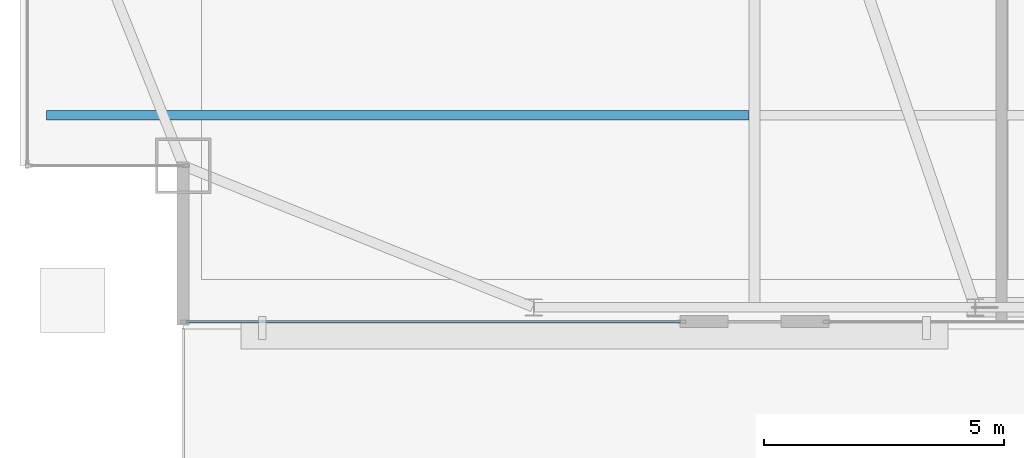
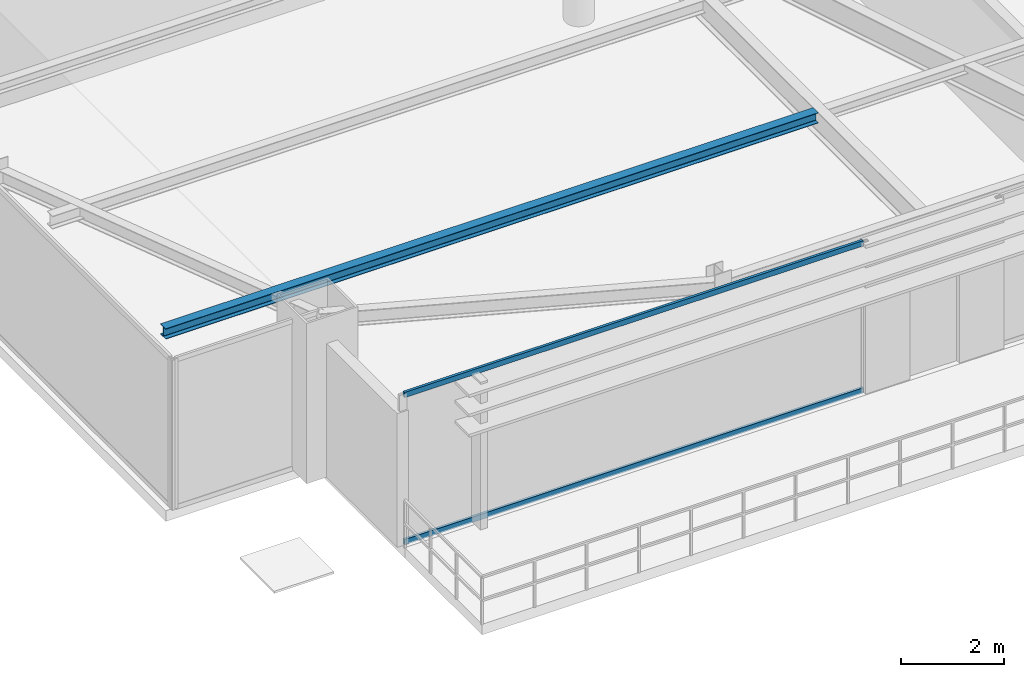
# One storey, part 5 of 33: 2 members, 1 beam, 1 element without a shape of its own.
"""IFC4 building model written with IfcOpenShell, lengths in metres."""

import ifcopenshell
import ifcopenshell.guid

model = None  # the IFC model being written
_history = None  # IfcOwnerHistory: only IFC2X3 demands one
_inside = {}  # id of a spatial element -> (the spatial element, [elements in it])
_under = {}  # id of a project, library or spatial element -> (it, [spatial elements below it])
_declared = {}  # id of a project -> (the project, [libraries it declares])
_typed = {}  # id of a type object -> (the type object, [elements of that type])
_made_of = {}  # id of a material, layer set ... -> (it, [elements and type objects made of it])


def new_model(schema):
    """Start an empty IFC model of exactly this schema.

    Asked for "IFC4X3", IfcOpenShell would pick the latest addendum, in which some entities
    have other attributes; the version numbers below select the first issue.
    IFC2X3 requires an IfcOwnerHistory on every rooted entity: one is made here for all.
    """
    global model, _history
    if schema == "IFC4X3":
        model = ifcopenshell.file(schema_version=(4, 3, 0, 0))
    else:
        model = ifcopenshell.file(schema=schema)
    _inside.clear()
    _under.clear()
    _declared.clear()
    _typed.clear()
    _made_of.clear()
    _history = None
    if model.schema == "IFC2X3":
        org = make("IfcOrganization", Name="unknown")
        user = make(
            "IfcPersonAndOrganization",
            ThePerson=make("IfcPerson", FamilyName="unknown"),
            TheOrganization=org,
        )
        app = make(
            "IfcApplication",
            ApplicationDeveloper=org,
            Version="unknown",
            ApplicationFullName="unknown",
            ApplicationIdentifier="unknown",
        )
        _history = make(
            "IfcOwnerHistory",
            OwningUser=user,
            OwningApplication=app,
            ChangeAction="ADDED",
            CreationDate=0,
        )
    return model


def make(cls, **values):
    """One entity of the class cls with the attributes given. An attribute that is None is left unset."""
    return model.create_entity(
        cls, **{name: value for name, value in values.items() if value is not None}
    )


def rooted(cls, **values):
    """An entity with a GlobalId (a new one), such as an element, a storey or a relation."""
    return make(cls, GlobalId=ifcopenshell.guid.new(), OwnerHistory=_history, **values)


def si_unit(unit_type, name, prefix=None):
    """IfcSIUnit, for example si_unit("LENGTHUNIT", "METRE", prefix="MILLI")."""
    return make("IfcSIUnit", UnitType=unit_type, Prefix=prefix, Name=name)


def assignment(units):
    """IfcUnitAssignment: the units of a project."""
    return None if units is None else make("IfcUnitAssignment", Units=units)


def point(xyz):
    """IfcCartesianPoint."""
    return None if xyz is None else make("IfcCartesianPoint", Coordinates=xyz)


def direction(xyz):
    """IfcDirection."""
    return None if xyz is None else make("IfcDirection", DirectionRatios=xyz)


def frame(location, z_axis=None, x_axis=None):
    """IfcAxis2Placement3D, a coordinate frame: its origin and axes. An axis left out is left unset."""
    return make(
        "IfcAxis2Placement3D",
        Location=point(location),
        Axis=direction(z_axis),
        RefDirection=direction(x_axis),
    )


def frame_2d(location, x_axis=None):
    """IfcAxis2Placement2D, a coordinate frame in the plane: its origin and x axis."""
    return make(
        "IfcAxis2Placement2D", Location=point(location), RefDirection=direction(x_axis)
    )


def origin():
    """The frame at (0, 0, 0) with its axes left unset."""
    return frame((0.0, 0.0, 0.0))


def origin_2d():
    """The frame at (0, 0) in the plane with its x axis left unset."""
    return frame_2d((0.0, 0.0))


def place(relative_to, where):
    """IfcLocalPlacement: puts the frame where relative to a parent placement (None: the world)."""
    return make(
        "IfcLocalPlacement", PlacementRelTo=relative_to, RelativePlacement=where
    )


def context(
    kind, dimensions, precision=None, world=None, true_north=None, identifier=None
):
    """IfcGeometricRepresentationContext, for example the 3D "Model" context."""
    return make(
        "IfcGeometricRepresentationContext",
        ContextIdentifier=identifier,
        ContextType=kind,
        CoordinateSpaceDimension=dimensions,
        Precision=precision,
        WorldCoordinateSystem=world,
        TrueNorth=true_north,
    )


def subcontext(parent, identifier, kind, view, scale=None):
    """IfcGeometricRepresentationSubContext, for example "Body" below "Model"."""
    return make(
        "IfcGeometricRepresentationSubContext",
        ContextIdentifier=identifier,
        ContextType=kind,
        ParentContext=parent,
        TargetScale=scale,
        TargetView=view,
    )


def project(units=None, contexts=None):
    """IfcProject with its units and contexts."""
    return rooted(
        "IfcProject",
        Name="project",
        RepresentationContexts=contexts,
        UnitsInContext=assignment(units),
    )


def spatial(cls, under=None, at=None, **own):
    """A site, building, storey or space (cls), placed at a placement, below another one or the project."""
    s = rooted(cls, ObjectPlacement=at, **own)
    if under is not None:
        _under.setdefault(under.id(), (under, []))[1].append(s)
    return s


def profile(cls, at=None, kind="AREA", **sizes):
    """A parametric profile (cls). Its sizes go by their IFC names, for example OverallWidth=200.0."""
    return make(cls, ProfileType=kind, Position=at, **sizes)


def hollow_rectangle(**sizes):
    """IfcRectangleHollowProfileDef."""
    return profile("IfcRectangleHollowProfileDef", **sizes)


def i_section(**sizes):
    """IfcIShapeProfileDef."""
    return profile("IfcIShapeProfileDef", **sizes)


def extrude(swept, where, along, depth):
    """IfcExtrudedAreaSolid: the profile swept, set in the frame where, extruded along a direction by depth."""
    return make(
        "IfcExtrudedAreaSolid",
        SweptArea=swept,
        Position=where,
        ExtrudedDirection=direction(along),
        Depth=depth,
    )


def shape(context_of_items, identifier, shape_type, items):
    """IfcShapeRepresentation: the items that make up one representation, for example the "Body"."""
    return make(
        "IfcShapeRepresentation",
        ContextOfItems=context_of_items,
        RepresentationIdentifier=identifier,
        RepresentationType=shape_type,
        Items=items,
    )


def source(mapping_origin, context_of_items, identifier, shape_type, items):
    """IfcRepresentationMap: a shape defined once, which mapped items show again and again."""
    return make(
        "IfcRepresentationMap",
        MappingOrigin=mapping_origin,
        MappedRepresentation=shape(context_of_items, identifier, shape_type, items),
    )


def transform(
    local_origin,
    x_axis=None,
    y_axis=None,
    z_axis=None,
    scale=None,
    scale2=None,
    scale3=None,
    uniform=True,
):
    """IfcCartesianTransformationOperator3D, or its non-uniform kind. x_axis, y_axis, z_axis: its Axis1, 2, 3."""
    if uniform:
        return make(
            "IfcCartesianTransformationOperator3D",
            Axis1=direction(x_axis),
            Axis2=direction(y_axis),
            LocalOrigin=point(local_origin),
            Scale=scale,
            Axis3=direction(z_axis),
        )
    return make(
        "IfcCartesianTransformationOperator3DnonUniform",
        Axis1=direction(x_axis),
        Axis2=direction(y_axis),
        LocalOrigin=point(local_origin),
        Scale=scale,
        Axis3=direction(z_axis),
        Scale2=scale2,
        Scale3=scale3,
    )


def mapped(mapping_source, mapping_target):
    """IfcMappedItem: shows the shape of a source again, moved by a transform."""
    return make(
        "IfcMappedItem", MappingSource=mapping_source, MappingTarget=mapping_target
    )


def material(Name=None, Category=None):
    """IfcMaterial."""
    return make("IfcMaterial", Name=Name, Category=Category)


def layer(
    of_material, thickness, ventilated=None, Name=None, Category=None, Priority=None
):
    """IfcMaterialLayer: one layer of a wall or slab, of a material (None: an air gap)."""
    return make(
        "IfcMaterialLayer",
        Material=of_material,
        LayerThickness=thickness,
        IsVentilated=ventilated,
        Name=Name,
        Category=Category,
        Priority=Priority,
    )


def layer_set(layers, Name=None):
    """IfcMaterialLayerSet."""
    return make("IfcMaterialLayerSet", MaterialLayers=layers, LayerSetName=Name)


def material_profile(
    of_material, cross_section, Name=None, Category=None, Priority=None
):
    """IfcMaterialProfile: a cross section and its material."""
    return make(
        "IfcMaterialProfile",
        Name=Name,
        Material=of_material,
        Profile=cross_section,
        Priority=Priority,
        Category=Category,
    )


def profile_set(profiles, Name=None, composite=None):
    """IfcMaterialProfileSet."""
    return make(
        "IfcMaterialProfileSet",
        Name=Name,
        MaterialProfiles=profiles,
        CompositeProfile=composite,
    )


def made_of(thing, what):
    """Note that an element or type object is made of a material, layer set ...; save() writes the relation."""
    if what is not None:
        _made_of.setdefault(what.id(), (what, []))[1].append(thing)
    return thing


def type_object(cls, material=None, **own):
    """A type object (cls), such as IfcWallType, which elements share."""
    return made_of(rooted(cls, **own), material)


def type_shapes(of_type, sources):
    """Give a type object the sources (RepresentationMaps) that its elements show as mapped items."""
    of_type.RepresentationMaps = sources


def element(
    cls,
    number,
    at=None,
    inside=None,
    cuts=None,
    type_object=None,
    material=None,
    context=None,
    identifier="Body",
    shape_type=None,
    held_by="IfcProductDefinitionShape",
    body=None,
    shapes=None,
    **own,
):
    """One element of the class cls, such as IfcWall. Its Tag is "e" and its number.

    at: its placement. inside: the storey or other place that contains it. cuts: it is an
    opening in that element (IfcRelVoidsElement). A single representation is given by context,
    identifier, shape_type and body (its items); several are given by shapes. held_by: the class
    of the entity that holds the representations. save() writes the other relations.
    """
    e = rooted(cls, Tag="e%d" % number, ObjectPlacement=at, **own)
    if body is not None:
        shapes = [shape(context, identifier, shape_type, body)]
    if shapes is not None:
        e.Representation = make(held_by, Representations=shapes)
    if inside is not None:
        _inside.setdefault(inside.id(), (inside, []))[1].append(e)
    if cuts is not None:
        rooted(
            "IfcRelVoidsElement", RelatingBuildingElement=cuts, RelatedOpeningElement=e
        )
    if type_object is not None:
        _typed.setdefault(type_object.id(), (type_object, []))[1].append(e)
    return made_of(e, material)


def aggregate(whole, parts):
    """IfcRelAggregates: a whole, such as a stair, and the parts it consists of."""
    return rooted("IfcRelAggregates", RelatingObject=whole, RelatedObjects=parts)


def save(model, path):
    """Write the relations noted so far, then the file.

    IfcRelAggregates (storeys below a building ...), IfcRelContainedInSpatialStructure (elements
    in a storey), IfcRelDefinesByType, IfcRelAssociatesMaterial and IfcRelDeclares: one each for
    every whole, place, type object, material and project.
    """
    for whole, parts in _under.values():
        aggregate(whole, parts)
    for where, things in _inside.values():
        rooted(
            "IfcRelContainedInSpatialStructure",
            RelatedElements=things,
            RelatingStructure=where,
        )
    for kind, things in _typed.values():
        rooted("IfcRelDefinesByType", RelatedObjects=things, RelatingType=kind)
    for what, things in _made_of.values():
        rooted("IfcRelAssociatesMaterial", RelatedObjects=things, RelatingMaterial=what)
    for by, libraries in _declared.values():
        rooted("IfcRelDeclares", RelatingContext=by, RelatedDefinitions=libraries)
    model.write(path)


model = new_model("IFC4")

# Units and contexts
model_context = context("Model", 3, precision=1e-05, world=origin(), true_north=direction((0.0, 1.0)))
body_context = subcontext(model_context, "Body", "Model", "MODEL_VIEW")
ifc_project = project(units=[si_unit("LENGTHUNIT", "METRE"), si_unit("AREAUNIT", "SQUARE_METRE"), si_unit("VOLUMEUNIT", "CUBIC_METRE"), si_unit("PLANEANGLEUNIT", "RADIAN"), si_unit("MASSUNIT", "GRAM", prefix="KILO")], contexts=[model_context])

# Site, building, storey
site_placement = place(None, origin())
site = spatial("IfcSite", under=ifc_project, at=site_placement, CompositionType="ELEMENT")
building_placement = place(site_placement, origin())
building = spatial("IfcBuilding", under=site, at=building_placement, Name="Varnel Quay Broadcast Tower", CompositionType="ELEMENT")
storey_placement = place(building_placement, frame((0.0, 0.0, 199.800048828125)))
storey = spatial("IfcBuildingStorey", under=building, at=storey_placement, Name="L49", CompositionType="ELEMENT", Elevation=199.800048828125)

# Beam
ifc_material_1 = material(Name="Structural Steel CSA G40.21 350W", Category="steel")
ifc_material_profile_1 = material_profile(ifc_material_1, i_section(OverallWidth=0.201904296875, OverallDepth=0.2470703125, WebThickness=0.00732421875, FlangeThickness=0.010986328125, FilletRadius=0.010986328125, at=origin_2d()), Name="W250X49")
ifc_profile_set_1 = profile_set([ifc_material_profile_1], Name="Structural Steel CSA G40.21 350W")
beam_type = type_object("IfcBeamType", Name="Beam_W250X49", PredefinedType="JOIST", material=ifc_profile_set_1)
shared_shape_1 = source(origin(), body_context, "Body", "SweptSolid", [
    extrude(i_section(OverallWidth=0.201904296875, OverallDepth=0.2470703125, WebThickness=0.00732421875, FlangeThickness=0.010986328125, FilletRadius=0.010986328125, at=origin_2d()), origin(), (0.0, 0.0, 1.0), 14.642333984375),
])
type_shapes(beam_type, [shared_shape_1])
beam_placement = place(storey_placement, frame((10.047607421875, 14.64990234375, 3.426513671875), z_axis=(1.0, 0.0, 0.0), x_axis=(0.0, 1.0, 0.0)))
element("IfcBeam", 1, at=beam_placement, inside=storey, type_object=beam_type, Name="L49 West Floor Joist 1", PredefinedType="JOIST", context=body_context, shape_type="MappedRepresentation", body=[
    mapped(shared_shape_1, transform((0.0, 0.0, 0.0), x_axis=(1.0, 0.0, 0.0), y_axis=(0.0, 1.0, 0.0), z_axis=(0.0, 0.0, 1.0), scale=1.0)),
])

# Curtain wall, members
ifc_material_2 = material(Name="Anodised Bronze Aluminium 6063-T6", Category="aluminium")
ifc_layer = layer(ifc_material_2, 0.18994140625, Name="Anodised Bronze Aluminium 6063-T6")
ifc_layer_set = layer_set([ifc_layer], Name="Anodised Bronze Aluminium 6063-T6")
curtain_wall_type = type_object("IfcCurtainWallType", Name="CW_UpperTower", PredefinedType="NOTDEFINED", material=ifc_layer_set)
curtain_wall_placement = place(storey_placement, origin())
curtain_wall = element("IfcCurtainWall", 2, at=curtain_wall_placement, inside=storey, type_object=curtain_wall_type, Name="L49 South Unitised Curtain Wall 1", PredefinedType="NOTDEFINED")
ifc_material_profile_2 = material_profile(ifc_material_2, hollow_rectangle(XDim=0.06005859375, YDim=0.125, WallThickness=0.0029296875, at=origin_2d()), Name="ALU60X125X3")
ifc_profile_set_2 = profile_set([ifc_material_profile_2], Name="Anodised Bronze Aluminium 6063-T6")
member_type = type_object("IfcMemberType", Name="Tran_CWS-03", PredefinedType="USERDEFINED", material=ifc_profile_set_2)
shared_shape_2 = source(origin(), body_context, "Body", "SweptSolid", [
    extrude(hollow_rectangle(XDim=0.06005859375, YDim=0.125, WallThickness=0.0029296875, at=origin_2d()), origin(), (0.0, 0.0, 1.0), 10.289794921875),
])
type_shapes(member_type, [shared_shape_2])
member_1_placement = place(storey_placement, frame((12.965087890625, 10.35009765625, 0.030029296875), z_axis=(1.0, 0.0, 0.0), x_axis=(0.0, 1.0, 0.0)))
member_1 = element("IfcMember", 3, at=member_1_placement, type_object=member_type, Name="CWS-03 transom 1.1", ObjectType="TRANSOM", PredefinedType="USERDEFINED", context=body_context, shape_type="MappedRepresentation", body=[
    mapped(shared_shape_2, transform((0.0, 0.0, 0.0), x_axis=(1.0, 0.0, 0.0), y_axis=(0.0, 1.0, 0.0), z_axis=(0.0, 0.0, 1.0), scale=1.0)),
])
member_2_placement = place(storey_placement, frame((12.965087890625, 10.35009765625, 3.52001953125), z_axis=(1.0, 0.0, 0.0), x_axis=(0.0, 1.0, 0.0)))
member_2 = element("IfcMember", 4, at=member_2_placement, type_object=member_type, Name="CWS-03 transom 1.2", ObjectType="TRANSOM", PredefinedType="USERDEFINED", context=body_context, shape_type="MappedRepresentation", body=[
    mapped(shared_shape_2, transform((0.0, 0.0, 0.0), x_axis=(1.0, 0.0, 0.0), y_axis=(0.0, 1.0, 0.0), z_axis=(0.0, 0.0, 1.0), scale=1.0)),
])
aggregate(curtain_wall, [member_1, member_2])

save(model, "model.ifc")
